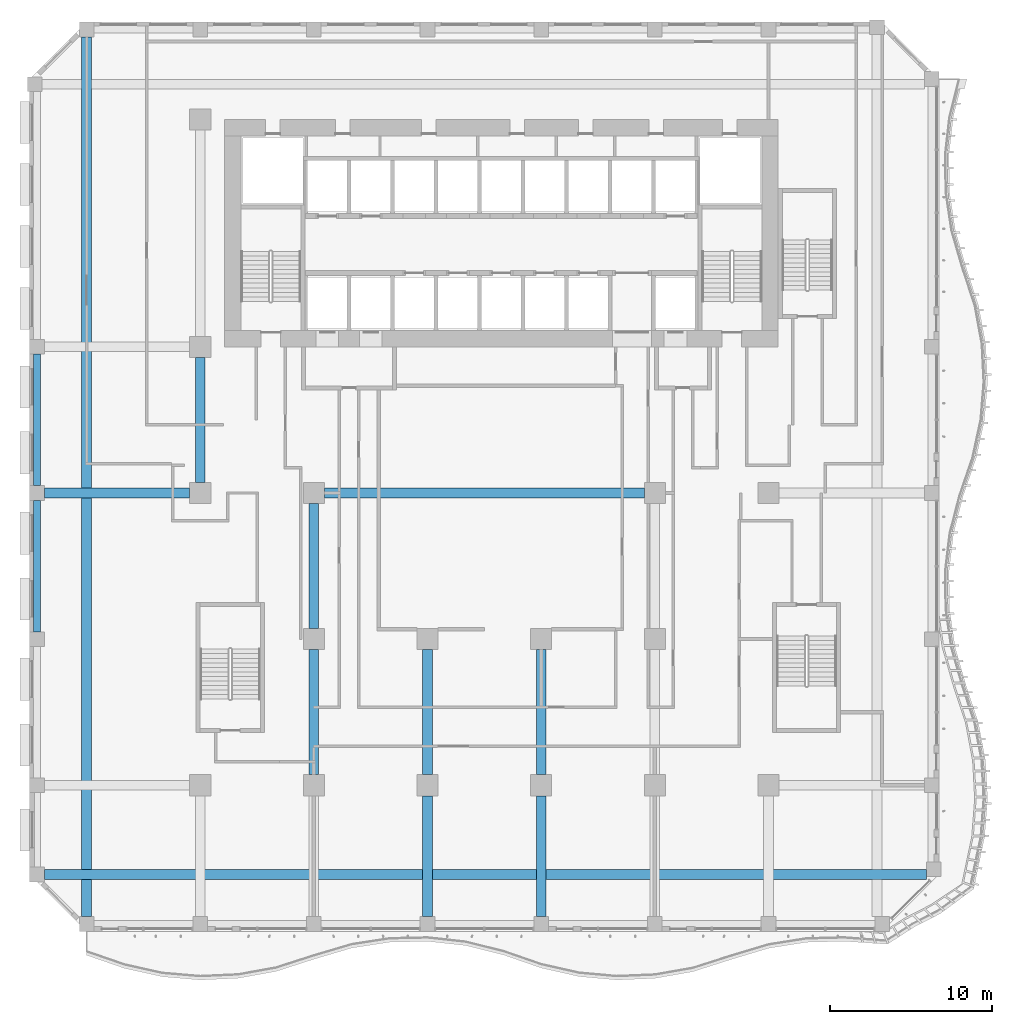
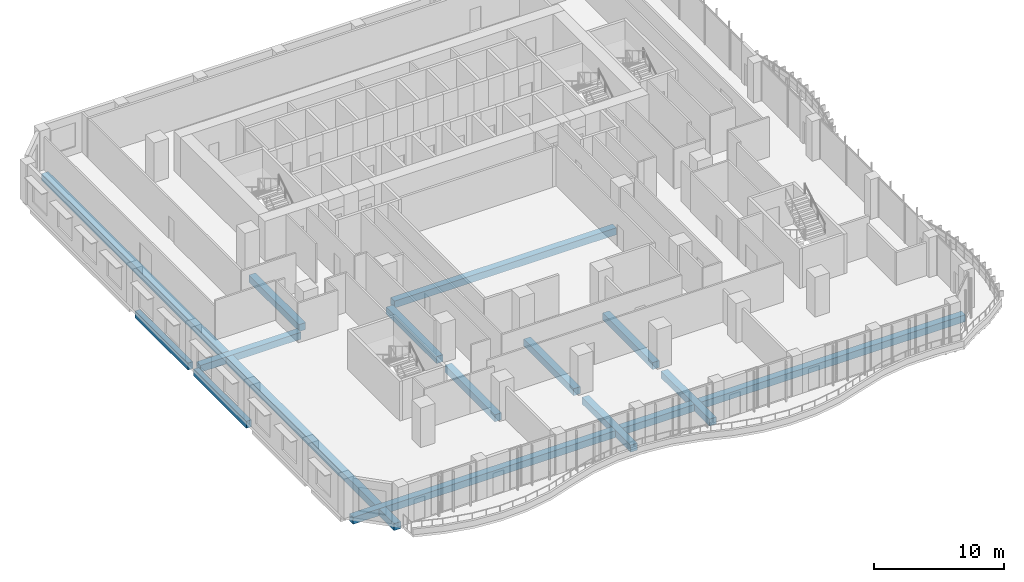
# One storey, part 3 of 27: 13 beams.
"""IFC4 building model written with IfcOpenShell, lengths in metres."""

from ifc_helpers import new_model, si_unit, direction, frame, origin, origin_2d, place, context, subcontext, project, spatial, rectangle, extrude, source, transform, mapped, material, material_profile, profile_set, type_object, element, save


model = new_model("IFC4")

# Units and contexts
model_context = context("Model", 3, precision=1e-05, world=origin(), true_north=direction((0.0, 1.0)))
body_context = subcontext(model_context, "Body", "Model", "MODEL_VIEW")
ifc_project = project(units=[si_unit("LENGTHUNIT", "METRE"), si_unit("AREAUNIT", "SQUARE_METRE"), si_unit("VOLUMEUNIT", "CUBIC_METRE"), si_unit("PLANEANGLEUNIT", "RADIAN"), si_unit("MASSUNIT", "GRAM", prefix="KILO")], contexts=[model_context])

# Site, building, storey
site_placement = place(None, origin())
site = spatial("IfcSite", under=ifc_project, at=site_placement, CompositionType="ELEMENT")
building_placement = place(site_placement, origin())
building = spatial("IfcBuilding", under=site, at=building_placement, Name="Kilnfold Tower and Market Hall", CompositionType="ELEMENT")
storey_placement = place(building_placement, frame((0.0, 0.0, 47.0)))
storey = spatial("IfcBuildingStorey", under=building, at=storey_placement, Name="L10", CompositionType="ELEMENT", Elevation=47.0)

# Beams
ifc_material_1 = material(Name="Concrete C45", Category="concrete")
ifc_material_profile_1 = material_profile(ifc_material_1, rectangle(XDim=0.60009765625, YDim=0.64990234375, at=origin_2d()), Name="RC 600x650")
ifc_profile_set_1 = profile_set([ifc_material_profile_1], Name="Concrete C45")
beam_type_1 = type_object("IfcBeamType", Name="BEAM 600X650 C45", PredefinedType="BEAM", material=ifc_profile_set_1)
shared_shape_1 = source(origin(), body_context, "Body", "SweptSolid", [
    extrude(rectangle(XDim=0.60009765625, YDim=0.64990234375, at=origin_2d()), origin(), (0.0, 0.0, 1.0), 8.9501953125),
])
beam_1_placement = place(storey_placement, frame((-27.10009765625, -1.0, -0.60498046875), z_axis=(1.0, 0.0, 0.0), x_axis=(0.0, 1.0, 0.0)))
element("IfcBeam", 1, at=beam_1_placement, inside=storey, type_object=beam_type_1, Name="Beam BB650-B1.16", PredefinedType="BEAM", context=body_context, shape_type="MappedRepresentation", body=[
    mapped(shared_shape_1, transform((0.0, 0.0, 0.0))),
])
shared_shape_2 = source(origin(), body_context, "Body", "SweptSolid", [
    extrude(rectangle(XDim=0.60009765625, YDim=0.64990234375, at=origin_2d()), origin(), (0.0, 0.0, 1.0), 19.7001953125),
])
beam_2_placement = place(storey_placement, frame((-9.85009765625, -1.0, -0.60498046875), z_axis=(1.0, 0.0, 0.0), x_axis=(0.0, 1.0, 0.0)))
element("IfcBeam", 2, at=beam_2_placement, inside=storey, type_object=beam_type_1, Name="Beam BB650-B1.18", PredefinedType="BEAM", context=body_context, shape_type="MappedRepresentation", body=[
    mapped(shared_shape_2, transform((0.0, 0.0, 0.0))),
])
shared_shape_3 = source(origin(), body_context, "Body", "SweptSolid", [
    extrude(rectangle(XDim=0.60009765625, YDim=0.64990234375, at=origin_2d()), origin(), (0.0, 0.0, 1.0), 54.331787109375),
])
beam_3_placement = place(storey_placement, frame((-27.10009765625, -24.5, -0.60498046875), z_axis=(1.0, 0.0, 0.0), x_axis=(0.0, 1.0, 0.0)))
element("IfcBeam", 3, at=beam_3_placement, inside=storey, type_object=beam_type_1, Name="Beam BB650-B1.55", PredefinedType="BEAM", context=body_context, shape_type="MappedRepresentation", body=[
    mapped(shared_shape_3, transform((0.0, 0.0, 0.0))),
])
ifc_material_2 = material(Name="Concrete C45", Category="concrete")
ifc_material_profile_2 = material_profile(ifc_material_2, rectangle(XDim=0.449951171875, YDim=0.64990234375, at=origin_2d()), Name="RC 450x650")
ifc_profile_set_2 = profile_set([ifc_material_profile_2], Name="Concrete C45")
beam_type_2 = type_object("IfcBeamType", Name="EDGE BEAM 450X650 C45", PredefinedType="BEAM", material=ifc_profile_set_2)
shared_shape_4 = source(origin(), body_context, "Body", "SweptSolid", [
    extrude(rectangle(XDim=0.449951171875, YDim=0.64990234375, at=origin_2d()), origin(), (0.0, 0.0, 1.0), 8.10009765625),
])
for number, where, z_axis, x_axis, name in (
    (4, (-27.550048828125, -9.550048828125, -0.60498046875), (0.0, 1.0, 0.0), (-1.0, 0.0, 0.0), "Beam EB650-B1.32"),
    (5, (-27.550048828125, -0.550048828125, -0.60498046875), (0.0, 1.0, 0.0), (-1.0, 0.0, 0.0), "Beam EB650-B1.33"),
):
    element("IfcBeam", number, at=place(storey_placement, frame(where, z_axis=z_axis, x_axis=x_axis)), inside=storey, type_object=beam_type_2, Name=name, PredefinedType="BEAM", context=body_context, shape_type="MappedRepresentation", body=[
        mapped(shared_shape_4, transform((0.0, 0.0, 0.0))),
    ])
shared_shape_5 = source(origin(), body_context, "Body", "SweptSolid", [
    extrude(rectangle(XDim=0.60009765625, YDim=0.64990234375, at=origin_2d()), origin(), (0.0, 0.0, 1.0), 54.2001953125),
])
beam_4_placement = place(storey_placement, frame((-24.5, -27.10009765625, -0.60498046875), z_axis=(0.0, 1.0, 0.0), x_axis=(-1.0, 0.0, 0.0)))
element("IfcBeam", 6, at=beam_4_placement, inside=storey, type_object=beam_type_1, Name="Beam BB650-B1.35", PredefinedType="BEAM", context=body_context, shape_type="MappedRepresentation", body=[
    mapped(shared_shape_5, transform((0.0, 0.0, 0.0))),
])
shared_shape_6 = source(origin(), body_context, "Body", "SweptSolid", [
    extrude(rectangle(XDim=0.60009765625, YDim=0.64990234375, at=origin_2d()), origin(), (0.0, 0.0, 1.0), 7.4501953125),
])
for number, where, z_axis, x_axis, name in (
    (7, (-3.5, -27.10009765625, -0.60498046875), (0.0, 1.0, 0.0), (-1.0, 0.0, 0.0), "Beam BB650-B1.43"),
    (8, (3.5, -27.10009765625, -0.60498046875), (0.0, 1.0, 0.0), (-1.0, 0.0, 0.0), "Beam BB650-B1.45"),
):
    element("IfcBeam", number, at=place(storey_placement, frame(where, z_axis=z_axis, x_axis=x_axis)), inside=storey, type_object=beam_type_1, Name=name, PredefinedType="BEAM", context=body_context, shape_type="MappedRepresentation", body=[
        mapped(shared_shape_6, transform((0.0, 0.0, 0.0))),
    ])
shared_shape_7 = source(origin(), body_context, "Body", "SweptSolid", [
    extrude(rectangle(XDim=0.60009765625, YDim=0.64990234375, at=origin_2d()), origin(), (0.0, 0.0, 1.0), 7.7001953125),
])
for number, where, z_axis, x_axis, name in (
    (9, (-17.5, -0.35009765625, -0.60498046875), (0.0, 1.0, 0.0), (-1.0, 0.0, 0.0), "Beam BB650-B1.37"),
    (10, (-10.5, -18.35009765625, -0.60498046875), (0.0, 1.0, 0.0), (-1.0, 0.0, 0.0), "Beam BB650-B1.41"),
    (11, (-10.5, -9.35009765625, -0.60498046875), (0.0, 1.0, 0.0), (-1.0, 0.0, 0.0), "Beam BB650-B1.42"),
    (12, (-3.5, -18.35009765625, -0.60498046875), (0.0, 1.0, 0.0), (-1.0, 0.0, 0.0), "Beam BB650-B1.44"),
    (13, (3.5, -18.35009765625, -0.60498046875), (0.0, 1.0, 0.0), (-1.0, 0.0, 0.0), "Beam BB650-B1.46"),
):
    element("IfcBeam", number, at=place(storey_placement, frame(where, z_axis=z_axis, x_axis=x_axis)), inside=storey, type_object=beam_type_1, Name=name, PredefinedType="BEAM", context=body_context, shape_type="MappedRepresentation", body=[
        mapped(shared_shape_7, transform((0.0, 0.0, 0.0))),
    ])

save(model, "model.ifc")
